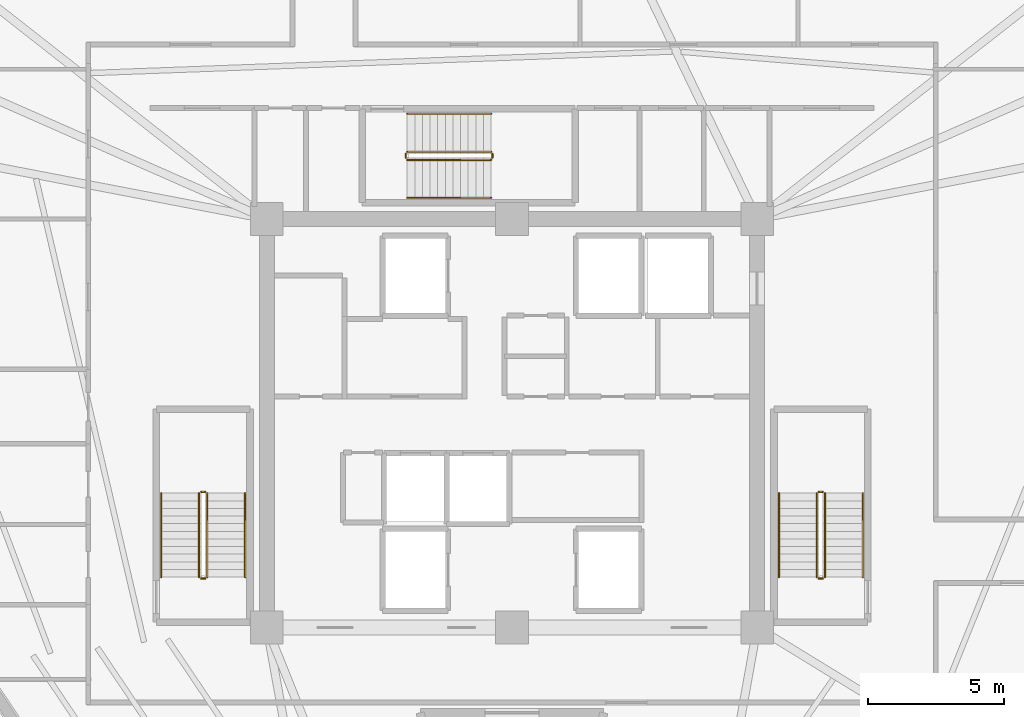
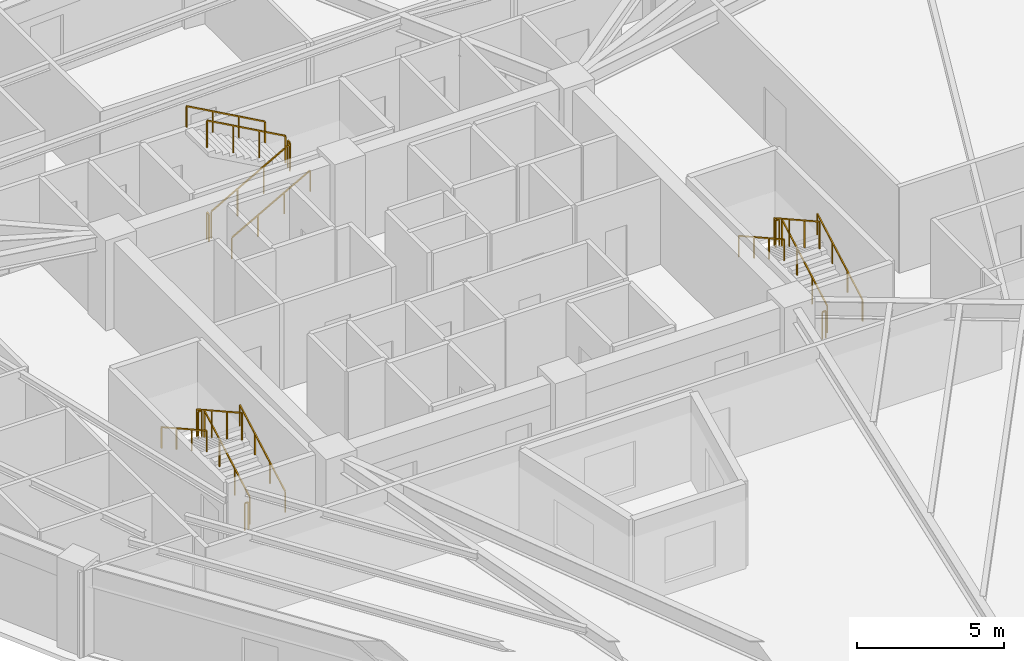
# One storey, part 9 of 9: 18 railings.
"""IFC4 building model written with IfcOpenShell, lengths in metres."""

from ifc_helpers import new_model, si_unit, direction, frame, origin, origin_2d, place, context, subcontext, project, spatial, rectangle, extrude, material, type_object, element, save


model = new_model("IFC4")

# Units and contexts
model_context = context("Model", 3, precision=1e-05, world=origin(), true_north=direction((0.0, 1.0)))
body_context = subcontext(model_context, "Body", "Model", "MODEL_VIEW")
ifc_project = project(units=[si_unit("LENGTHUNIT", "METRE"), si_unit("AREAUNIT", "SQUARE_METRE"), si_unit("VOLUMEUNIT", "CUBIC_METRE"), si_unit("PLANEANGLEUNIT", "RADIAN"), si_unit("MASSUNIT", "GRAM", prefix="KILO")], contexts=[model_context])

# Site, building, storey
site_placement = place(None, origin())
site = spatial("IfcSite", under=ifc_project, at=site_placement, CompositionType="ELEMENT")
building_placement = place(site_placement, origin())
building = spatial("IfcBuilding", under=site, at=building_placement, Name="Liaohun Quay Tower", CompositionType="ELEMENT")
storey_placement = place(building_placement, frame((0.0, 0.0, 328.5)))
storey = spatial("IfcBuildingStorey", under=building, at=storey_placement, Name="L85", CompositionType="ELEMENT", Elevation=328.5)

# Railings
ifc_material_1 = material(Name="Painted tubular steel", Category="steel")
railing_type_1 = type_object("IfcRailingType", Name="RLG-GUARD-STR", PredefinedType="GUARDRAIL", material=ifc_material_1)
railing_1_placement = place(storey_placement, frame((48.81005859375, 48.35009765625, 0.15625)))
element("IfcRailing", 1, at=railing_1_placement, inside=storey, type_object=railing_type_1, Name="L85 ST-1 stair guard 1", PredefinedType="GUARDRAIL", context=body_context, shape_type="SweptSolid", body=[
    extrude(rectangle(XDim=0.048095703125, YDim=0.048095703125, at=origin_2d()), frame((0.0, 0.0, 1.1259765625), z_axis=(0.0, 0.873225103656, 0.487317061414), x_axis=(-1.0, 0.0, 0.0)), (0.0, 0.0, 1.0), 3.52685546875),
    extrude(rectangle(XDim=0.0419921875, YDim=0.0419921875, at=origin_2d()), origin(), (0.0, 0.0, 1.0), 1.101806640625),
    extrude(rectangle(XDim=0.0419921875, YDim=0.0419921875, at=origin_2d()), frame((0.0, 1.026611328125, 0.572998046875)), (0.0, 0.0, 1.0), 1.101806640625),
    extrude(rectangle(XDim=0.0419921875, YDim=0.0419921875, at=origin_2d()), frame((0.0, 2.05322265625, 1.145751953125)), (0.0, 0.0, 1.0), 1.101806640625),
    extrude(rectangle(XDim=0.0419921875, YDim=0.0419921875, at=origin_2d()), frame((0.0, 3.079833984375, 1.71875)), (0.0, 0.0, 1.0), 1.101806640625),
])
railing_2_placement = place(storey_placement, frame((48.72998046875, 51.47998046875, 1.875)))
element("IfcRailing", 2, at=railing_2_placement, inside=storey, type_object=railing_type_1, Name="L85 ST-1 stair guard 2", PredefinedType="GUARDRAIL", context=body_context, shape_type="SweptSolid", body=[
    extrude(rectangle(XDim=0.048095703125, YDim=0.048095703125, at=origin_2d()), frame((0.0, 0.0, 1.1259765625), z_axis=(-1.0, 0.0, 0.0), x_axis=(0.0, -1.0, 0.0)), (0.0, 0.0, 1.0), 0.139892578125),
    extrude(rectangle(XDim=0.0419921875, YDim=0.0419921875, at=origin_2d()), origin(), (0.0, 0.0, 1.0), 1.101806640625),
    extrude(rectangle(XDim=0.0419921875, YDim=0.0419921875, at=origin_2d()), frame((-0.139892578125, 0.0, 0.0)), (0.0, 0.0, 1.0), 1.101806640625),
])
railing_3_placement = place(storey_placement, frame((48.510009765625, 51.429931640625, 2.03125)))
element("IfcRailing", 3, at=railing_3_placement, inside=storey, type_object=railing_type_1, Name="L85 ST-1 stair guard 3", PredefinedType="GUARDRAIL", context=body_context, shape_type="SweptSolid", body=[
    extrude(rectangle(XDim=0.048095703125, YDim=0.048095703125, at=origin_2d()), frame((0.0, 0.0, 1.1259765625), z_axis=(0.0, -0.873225103656, 0.487317061414), x_axis=(1.0, 0.0, 0.0)), (0.0, 0.0, 1.0), 3.52685546875),
    extrude(rectangle(XDim=0.0419921875, YDim=0.0419921875, at=origin_2d()), origin(), (0.0, 0.0, 1.0), 1.101806640625),
    extrude(rectangle(XDim=0.0419921875, YDim=0.0419921875, at=origin_2d()), frame((0.0, -1.026611328125, 0.572998046875)), (0.0, 0.0, 1.0), 1.101806640625),
    extrude(rectangle(XDim=0.0419921875, YDim=0.0419921875, at=origin_2d()), frame((0.0, -2.05322265625, 1.145751953125)), (0.0, 0.0, 1.0), 1.101806640625),
    extrude(rectangle(XDim=0.0419921875, YDim=0.0419921875, at=origin_2d()), frame((0.0, -3.079833984375, 1.71875)), (0.0, 0.0, 1.0), 1.101806640625),
])
railing_4_placement = place(storey_placement, frame((48.72998046875, 48.300048828125, 0.0)))
element("IfcRailing", 4, at=railing_4_placement, inside=storey, type_object=railing_type_1, Name="L85 ST-1 stair guard 4", PredefinedType="GUARDRAIL", context=body_context, shape_type="SweptSolid", body=[
    extrude(rectangle(XDim=0.048095703125, YDim=0.048095703125, at=origin_2d()), frame((0.0, 0.0, 1.1259765625), z_axis=(-1.0, 0.0, 0.0), x_axis=(0.0, -1.0, 0.0)), (0.0, 0.0, 1.0), 0.139892578125),
    extrude(rectangle(XDim=0.0419921875, YDim=0.0419921875, at=origin_2d()), origin(), (0.0, 0.0, 1.0), 1.101806640625),
    extrude(rectangle(XDim=0.0419921875, YDim=0.0419921875, at=origin_2d()), frame((-0.139892578125, 0.0, 0.0)), (0.0, 0.0, 1.0), 1.101806640625),
])
railing_5_placement = place(storey_placement, frame((71.489990234375, 48.35009765625, 0.15625)))
element("IfcRailing", 5, at=railing_5_placement, inside=storey, type_object=railing_type_1, Name="L85 ST-2 stair guard 1", PredefinedType="GUARDRAIL", context=body_context, shape_type="SweptSolid", body=[
    extrude(rectangle(XDim=0.048095703125, YDim=0.048095703125, at=origin_2d()), frame((0.0, 0.0, 1.1259765625), z_axis=(0.0, 0.873225103656, 0.487317061414), x_axis=(-1.0, 0.0, 0.0)), (0.0, 0.0, 1.0), 3.52685546875),
    extrude(rectangle(XDim=0.0419921875, YDim=0.0419921875, at=origin_2d()), origin(), (0.0, 0.0, 1.0), 1.101806640625),
    extrude(rectangle(XDim=0.0419921875, YDim=0.0419921875, at=origin_2d()), frame((0.0, 1.026611328125, 0.572998046875)), (0.0, 0.0, 1.0), 1.101806640625),
    extrude(rectangle(XDim=0.0419921875, YDim=0.0419921875, at=origin_2d()), frame((0.0, 2.05322265625, 1.145751953125)), (0.0, 0.0, 1.0), 1.101806640625),
    extrude(rectangle(XDim=0.0419921875, YDim=0.0419921875, at=origin_2d()), frame((0.0, 3.079833984375, 1.71875)), (0.0, 0.0, 1.0), 1.101806640625),
])
railing_6_placement = place(storey_placement, frame((71.409912109375, 51.47998046875, 1.875)))
element("IfcRailing", 6, at=railing_6_placement, inside=storey, type_object=railing_type_1, Name="L85 ST-2 stair guard 2", PredefinedType="GUARDRAIL", context=body_context, shape_type="SweptSolid", body=[
    extrude(rectangle(XDim=0.048095703125, YDim=0.048095703125, at=origin_2d()), frame((0.0, 0.0, 1.1259765625), z_axis=(-1.0, 0.0, 0.0), x_axis=(0.0, -1.0, 0.0)), (0.0, 0.0, 1.0), 0.139892578125),
    extrude(rectangle(XDim=0.0419921875, YDim=0.0419921875, at=origin_2d()), origin(), (0.0, 0.0, 1.0), 1.101806640625),
    extrude(rectangle(XDim=0.0419921875, YDim=0.0419921875, at=origin_2d()), frame((-0.139892578125, 0.0, 0.0)), (0.0, 0.0, 1.0), 1.101806640625),
])
railing_7_placement = place(storey_placement, frame((71.18994140625, 51.429931640625, 2.03125)))
element("IfcRailing", 7, at=railing_7_placement, inside=storey, type_object=railing_type_1, Name="L85 ST-2 stair guard 3", PredefinedType="GUARDRAIL", context=body_context, shape_type="SweptSolid", body=[
    extrude(rectangle(XDim=0.048095703125, YDim=0.048095703125, at=origin_2d()), frame((0.0, 0.0, 1.1259765625), z_axis=(0.0, -0.873225103656, 0.487317061414), x_axis=(1.0, 0.0, 0.0)), (0.0, 0.0, 1.0), 3.52685546875),
    extrude(rectangle(XDim=0.0419921875, YDim=0.0419921875, at=origin_2d()), origin(), (0.0, 0.0, 1.0), 1.101806640625),
    extrude(rectangle(XDim=0.0419921875, YDim=0.0419921875, at=origin_2d()), frame((0.0, -1.026611328125, 0.572998046875)), (0.0, 0.0, 1.0), 1.101806640625),
    extrude(rectangle(XDim=0.0419921875, YDim=0.0419921875, at=origin_2d()), frame((0.0, -2.05322265625, 1.145751953125)), (0.0, 0.0, 1.0), 1.101806640625),
    extrude(rectangle(XDim=0.0419921875, YDim=0.0419921875, at=origin_2d()), frame((0.0, -3.079833984375, 1.71875)), (0.0, 0.0, 1.0), 1.101806640625),
])
railing_8_placement = place(storey_placement, frame((71.409912109375, 48.300048828125, 0.0)))
element("IfcRailing", 8, at=railing_8_placement, inside=storey, type_object=railing_type_1, Name="L85 ST-2 stair guard 4", PredefinedType="GUARDRAIL", context=body_context, shape_type="SweptSolid", body=[
    extrude(rectangle(XDim=0.048095703125, YDim=0.048095703125, at=origin_2d()), frame((0.0, 0.0, 1.1259765625), z_axis=(-1.0, 0.0, 0.0), x_axis=(0.0, -1.0, 0.0)), (0.0, 0.0, 1.0), 0.139892578125),
    extrude(rectangle(XDim=0.0419921875, YDim=0.0419921875, at=origin_2d()), origin(), (0.0, 0.0, 1.0), 1.101806640625),
    extrude(rectangle(XDim=0.0419921875, YDim=0.0419921875, at=origin_2d()), frame((-0.139892578125, 0.0, 0.0)), (0.0, 0.0, 1.0), 1.101806640625),
])
railing_9_placement = place(storey_placement, frame((56.14990234375, 63.669921875, 0.15625)))
element("IfcRailing", 9, at=railing_9_placement, inside=storey, type_object=railing_type_1, Name="L85 ST-3 stair guard 1", PredefinedType="GUARDRAIL", context=body_context, shape_type="SweptSolid", body=[
    extrude(rectangle(XDim=0.048095703125, YDim=0.048095703125, at=origin_2d()), frame((0.0, 0.0, 1.1259765625), z_axis=(0.873241540666, 0.0, 0.487287606713), x_axis=(0.0, 1.0, 0.0)), (0.0, 0.0, 1.0), 3.527099609375),
    extrude(rectangle(XDim=0.0419921875, YDim=0.0419921875, at=origin_2d()), origin(), (0.0, 0.0, 1.0), 1.101806640625),
    extrude(rectangle(XDim=0.0419921875, YDim=0.0419921875, at=origin_2d()), frame((1.026611328125, 0.0, 0.572998046875)), (0.0, 0.0, 1.0), 1.101806640625),
    extrude(rectangle(XDim=0.0419921875, YDim=0.0419921875, at=origin_2d()), frame((2.053466796875, 0.0, 1.145751953125)), (0.0, 0.0, 1.0), 1.101806640625),
    extrude(rectangle(XDim=0.0419921875, YDim=0.0419921875, at=origin_2d()), frame((3.080078125, 0.0, 1.71875)), (0.0, 0.0, 1.0), 1.101806640625),
])
railing_10_placement = place(storey_placement, frame((59.280029296875, 63.75, 1.875)))
element("IfcRailing", 10, at=railing_10_placement, inside=storey, type_object=railing_type_1, Name="L85 ST-3 stair guard 2", PredefinedType="GUARDRAIL", context=body_context, shape_type="SweptSolid", body=[
    extrude(rectangle(XDim=0.048095703125, YDim=0.048095703125, at=origin_2d()), frame((0.0, 0.0, 1.1259765625), z_axis=(0.0, 1.0, 0.0), x_axis=(-1.0, 0.0, 0.0)), (0.0, 0.0, 1.0), 0.139892578125),
    extrude(rectangle(XDim=0.0419921875, YDim=0.0419921875, at=origin_2d()), origin(), (0.0, 0.0, 1.0), 1.101806640625),
    extrude(rectangle(XDim=0.0419921875, YDim=0.0419921875, at=origin_2d()), frame((0.0, 0.139892578125, 0.0)), (0.0, 0.0, 1.0), 1.101806640625),
])
railing_11_placement = place(storey_placement, frame((59.22998046875, 63.969970703125, 2.03125)))
element("IfcRailing", 11, at=railing_11_placement, inside=storey, type_object=railing_type_1, Name="L85 ST-3 stair guard 3", PredefinedType="GUARDRAIL", context=body_context, shape_type="SweptSolid", body=[
    extrude(rectangle(XDim=0.048095703125, YDim=0.048095703125, at=origin_2d()), frame((0.0, 0.0, 1.1259765625), z_axis=(-0.873241540666, 0.0, 0.487287606713), x_axis=(0.0, -1.0, 0.0)), (0.0, 0.0, 1.0), 3.527099609375),
    extrude(rectangle(XDim=0.0419921875, YDim=0.0419921875, at=origin_2d()), origin(), (0.0, 0.0, 1.0), 1.101806640625),
    extrude(rectangle(XDim=0.0419921875, YDim=0.0419921875, at=origin_2d()), frame((-1.026611328125, 0.0, 0.572998046875)), (0.0, 0.0, 1.0), 1.101806640625),
    extrude(rectangle(XDim=0.0419921875, YDim=0.0419921875, at=origin_2d()), frame((-2.053466796875, 0.0, 1.145751953125)), (0.0, 0.0, 1.0), 1.101806640625),
    extrude(rectangle(XDim=0.0419921875, YDim=0.0419921875, at=origin_2d()), frame((-3.080078125, 0.0, 1.71875)), (0.0, 0.0, 1.0), 1.101806640625),
])
railing_12_placement = place(storey_placement, frame((56.10009765625, 63.75, 0.0)))
element("IfcRailing", 12, at=railing_12_placement, inside=storey, type_object=railing_type_1, Name="L85 ST-3 stair guard 4", PredefinedType="GUARDRAIL", context=body_context, shape_type="SweptSolid", body=[
    extrude(rectangle(XDim=0.048095703125, YDim=0.048095703125, at=origin_2d()), frame((0.0, 0.0, 1.1259765625), z_axis=(0.0, 1.0, 0.0), x_axis=(-1.0, 0.0, 0.0)), (0.0, 0.0, 1.0), 0.139892578125),
    extrude(rectangle(XDim=0.0419921875, YDim=0.0419921875, at=origin_2d()), origin(), (0.0, 0.0, 1.0), 1.101806640625),
    extrude(rectangle(XDim=0.0419921875, YDim=0.0419921875, at=origin_2d()), frame((0.0, 0.139892578125, 0.0)), (0.0, 0.0, 1.0), 1.101806640625),
])
ifc_material_2 = material(Name="Brushed stainless steel", Category="steel")
railing_type_2 = type_object("IfcRailingType", Name="RLG-HND-STR", PredefinedType="HANDRAIL", material=ifc_material_2)
railing_13_placement = place(storey_placement, frame((50.199951171875, 48.35009765625, 0.15625)))
element("IfcRailing", 13, at=railing_13_placement, inside=storey, type_object=railing_type_2, Name="L85 ST-1 stair handrail 1", PredefinedType="HANDRAIL", context=body_context, shape_type="SweptSolid", body=[
    extrude(rectangle(XDim=0.048095703125, YDim=0.048095703125, at=origin_2d()), frame((0.0, 0.0, 0.8759765625), z_axis=(0.0, 0.873225103656, 0.487317061414), x_axis=(-1.0, 0.0, 0.0)), (0.0, 0.0, 1.0), 3.52685546875),
    extrude(rectangle(XDim=0.0419921875, YDim=0.0419921875, at=origin_2d()), origin(), (0.0, 0.0, 1.0), 0.851806640625),
    extrude(rectangle(XDim=0.0419921875, YDim=0.0419921875, at=origin_2d()), frame((0.0, 1.026611328125, 0.572998046875)), (0.0, 0.0, 1.0), 0.851806640625),
    extrude(rectangle(XDim=0.0419921875, YDim=0.0419921875, at=origin_2d()), frame((0.0, 2.05322265625, 1.145751953125)), (0.0, 0.0, 1.0), 0.851806640625),
    extrude(rectangle(XDim=0.0419921875, YDim=0.0419921875, at=origin_2d()), frame((0.0, 3.079833984375, 1.71875)), (0.0, 0.0, 1.0), 0.851806640625),
])
railing_14_placement = place(storey_placement, frame((47.1201171875, 51.429931640625, 2.03125)))
element("IfcRailing", 14, at=railing_14_placement, inside=storey, type_object=railing_type_2, Name="L85 ST-1 stair handrail 2", PredefinedType="HANDRAIL", context=body_context, shape_type="SweptSolid", body=[
    extrude(rectangle(XDim=0.048095703125, YDim=0.048095703125, at=origin_2d()), frame((0.0, 0.0, 0.8759765625), z_axis=(0.0, -0.873225103656, 0.487317061414), x_axis=(1.0, 0.0, 0.0)), (0.0, 0.0, 1.0), 3.52685546875),
    extrude(rectangle(XDim=0.0419921875, YDim=0.0419921875, at=origin_2d()), origin(), (0.0, 0.0, 1.0), 0.851806640625),
    extrude(rectangle(XDim=0.0419921875, YDim=0.0419921875, at=origin_2d()), frame((0.0, -1.026611328125, 0.572998046875)), (0.0, 0.0, 1.0), 0.851806640625),
    extrude(rectangle(XDim=0.0419921875, YDim=0.0419921875, at=origin_2d()), frame((0.0, -2.05322265625, 1.145751953125)), (0.0, 0.0, 1.0), 0.851806640625),
    extrude(rectangle(XDim=0.0419921875, YDim=0.0419921875, at=origin_2d()), frame((0.0, -3.079833984375, 1.71875)), (0.0, 0.0, 1.0), 0.851806640625),
])
railing_15_placement = place(storey_placement, frame((72.8798828125, 48.35009765625, 0.15625)))
element("IfcRailing", 15, at=railing_15_placement, inside=storey, type_object=railing_type_2, Name="L85 ST-2 stair handrail 1", PredefinedType="HANDRAIL", context=body_context, shape_type="SweptSolid", body=[
    extrude(rectangle(XDim=0.048095703125, YDim=0.048095703125, at=origin_2d()), frame((0.0, 0.0, 0.8759765625), z_axis=(0.0, 0.873225103656, 0.487317061414), x_axis=(-1.0, 0.0, 0.0)), (0.0, 0.0, 1.0), 3.52685546875),
    extrude(rectangle(XDim=0.0419921875, YDim=0.0419921875, at=origin_2d()), origin(), (0.0, 0.0, 1.0), 0.851806640625),
    extrude(rectangle(XDim=0.0419921875, YDim=0.0419921875, at=origin_2d()), frame((0.0, 1.026611328125, 0.572998046875)), (0.0, 0.0, 1.0), 0.851806640625),
    extrude(rectangle(XDim=0.0419921875, YDim=0.0419921875, at=origin_2d()), frame((0.0, 2.05322265625, 1.145751953125)), (0.0, 0.0, 1.0), 0.851806640625),
    extrude(rectangle(XDim=0.0419921875, YDim=0.0419921875, at=origin_2d()), frame((0.0, 3.079833984375, 1.71875)), (0.0, 0.0, 1.0), 0.851806640625),
])
railing_16_placement = place(storey_placement, frame((69.800048828125, 51.429931640625, 2.03125)))
element("IfcRailing", 16, at=railing_16_placement, inside=storey, type_object=railing_type_2, Name="L85 ST-2 stair handrail 2", PredefinedType="HANDRAIL", context=body_context, shape_type="SweptSolid", body=[
    extrude(rectangle(XDim=0.048095703125, YDim=0.048095703125, at=origin_2d()), frame((0.0, 0.0, 0.8759765625), z_axis=(0.0, -0.873225103656, 0.487317061414), x_axis=(1.0, 0.0, 0.0)), (0.0, 0.0, 1.0), 3.52685546875),
    extrude(rectangle(XDim=0.0419921875, YDim=0.0419921875, at=origin_2d()), origin(), (0.0, 0.0, 1.0), 0.851806640625),
    extrude(rectangle(XDim=0.0419921875, YDim=0.0419921875, at=origin_2d()), frame((0.0, -1.026611328125, 0.572998046875)), (0.0, 0.0, 1.0), 0.851806640625),
    extrude(rectangle(XDim=0.0419921875, YDim=0.0419921875, at=origin_2d()), frame((0.0, -2.05322265625, 1.145751953125)), (0.0, 0.0, 1.0), 0.851806640625),
    extrude(rectangle(XDim=0.0419921875, YDim=0.0419921875, at=origin_2d()), frame((0.0, -3.079833984375, 1.71875)), (0.0, 0.0, 1.0), 0.851806640625),
])
railing_17_placement = place(storey_placement, frame((56.14990234375, 62.280029296875, 0.15625)))
element("IfcRailing", 17, at=railing_17_placement, inside=storey, type_object=railing_type_2, Name="L85 ST-3 stair handrail 1", PredefinedType="HANDRAIL", context=body_context, shape_type="SweptSolid", body=[
    extrude(rectangle(XDim=0.048095703125, YDim=0.048095703125, at=origin_2d()), frame((0.0, 0.0, 0.8759765625), z_axis=(0.873241540666, 0.0, 0.487287606713), x_axis=(0.0, 1.0, 0.0)), (0.0, 0.0, 1.0), 3.527099609375),
    extrude(rectangle(XDim=0.0419921875, YDim=0.0419921875, at=origin_2d()), origin(), (0.0, 0.0, 1.0), 0.851806640625),
    extrude(rectangle(XDim=0.0419921875, YDim=0.0419921875, at=origin_2d()), frame((1.026611328125, 0.0, 0.572998046875)), (0.0, 0.0, 1.0), 0.851806640625),
    extrude(rectangle(XDim=0.0419921875, YDim=0.0419921875, at=origin_2d()), frame((2.053466796875, 0.0, 1.145751953125)), (0.0, 0.0, 1.0), 0.851806640625),
    extrude(rectangle(XDim=0.0419921875, YDim=0.0419921875, at=origin_2d()), frame((3.080078125, 0.0, 1.71875)), (0.0, 0.0, 1.0), 0.851806640625),
])
railing_18_placement = place(storey_placement, frame((59.22998046875, 65.360107421875, 2.03125)))
element("IfcRailing", 18, at=railing_18_placement, inside=storey, type_object=railing_type_2, Name="L85 ST-3 stair handrail 2", PredefinedType="HANDRAIL", context=body_context, shape_type="SweptSolid", body=[
    extrude(rectangle(XDim=0.048095703125, YDim=0.048095703125, at=origin_2d()), frame((0.0, 0.0, 0.8759765625), z_axis=(-0.873241540666, 0.0, 0.487287606713), x_axis=(0.0, -1.0, 0.0)), (0.0, 0.0, 1.0), 3.527099609375),
    extrude(rectangle(XDim=0.0419921875, YDim=0.0419921875, at=origin_2d()), origin(), (0.0, 0.0, 1.0), 0.851806640625),
    extrude(rectangle(XDim=0.0419921875, YDim=0.0419921875, at=origin_2d()), frame((-1.026611328125, 0.0, 0.572998046875)), (0.0, 0.0, 1.0), 0.851806640625),
    extrude(rectangle(XDim=0.0419921875, YDim=0.0419921875, at=origin_2d()), frame((-2.053466796875, 0.0, 1.145751953125)), (0.0, 0.0, 1.0), 0.851806640625),
    extrude(rectangle(XDim=0.0419921875, YDim=0.0419921875, at=origin_2d()), frame((-3.080078125, 0.0, 1.71875)), (0.0, 0.0, 1.0), 0.851806640625),
])

save(model, "model.ifc")
